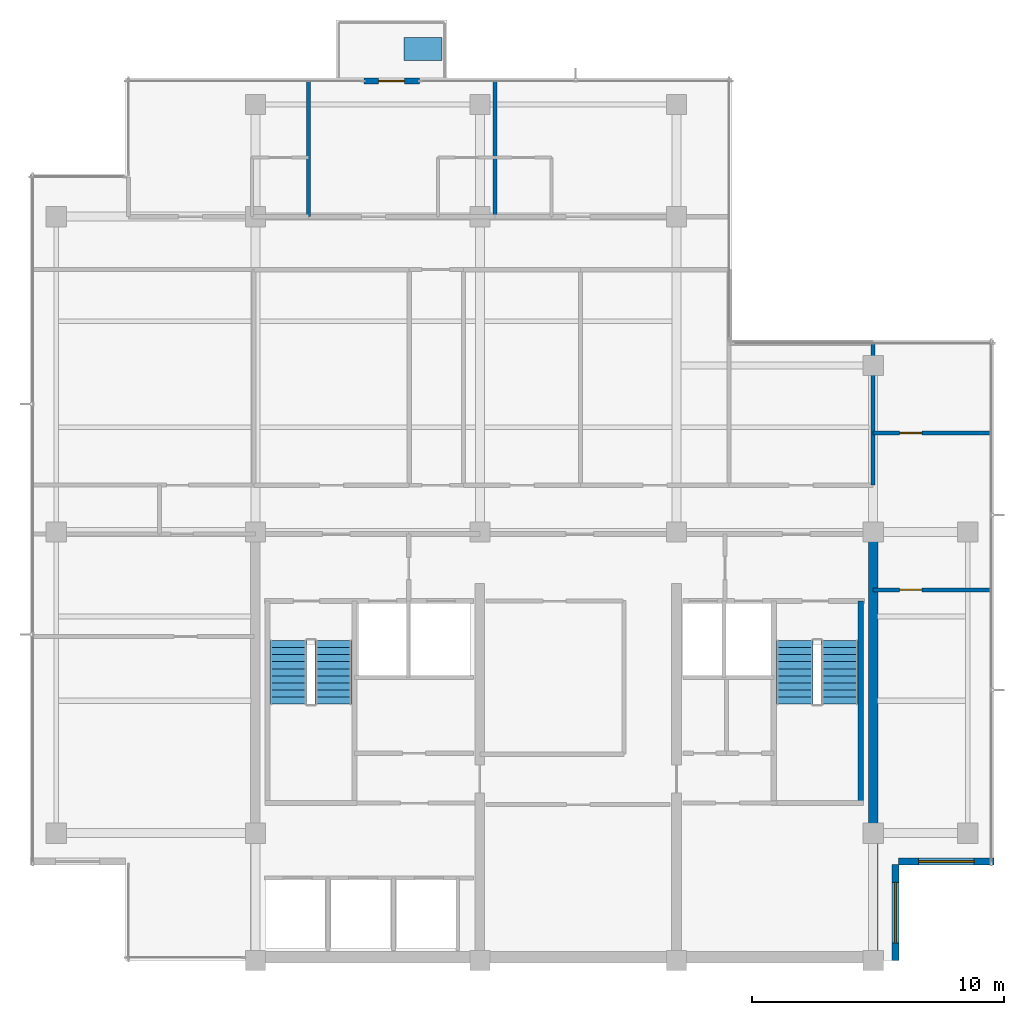
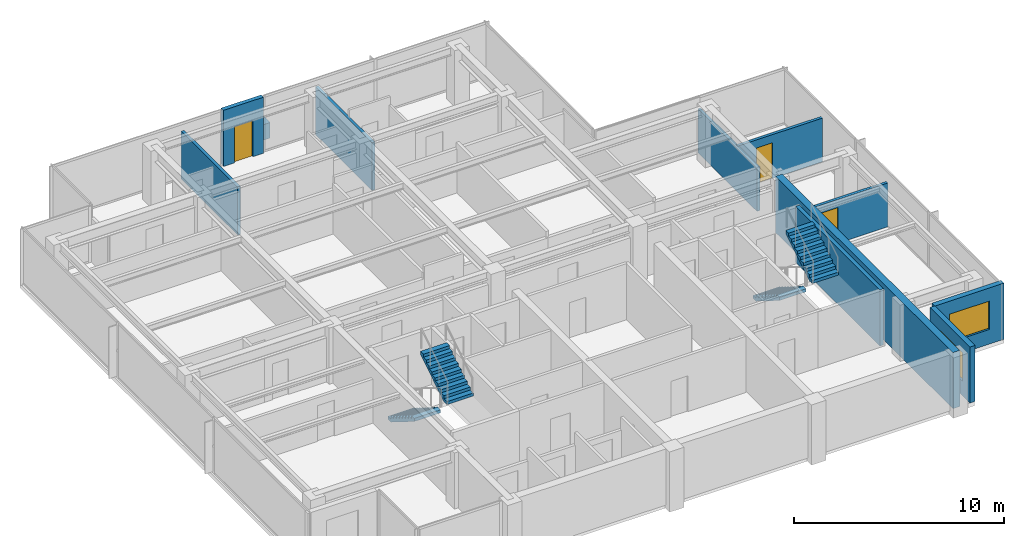
# One storey, part 8 of 11: 10 walls, 4 stair flights, 3 doors, 2 windows, 1 discrete accessory, 5 openings, 2 elements without a shape of their own.
"""IFC4 building model written with IfcOpenShell, lengths in metres."""

from ifc_helpers import new_model, si_unit, direction, frame, frame_2d, origin, place, context, subcontext, project, spatial, polyline, rectangle, outline, extrude, material, layer, layer_set, type_object, element, fill, aggregate, save


model = new_model("IFC4")

# Units and contexts
model_context = context("Model", 3, precision=1e-05, world=origin(), true_north=direction((0.0, 1.0)))
body_context = subcontext(model_context, "Body", "Model", "MODEL_VIEW")
ifc_project = project(units=[si_unit("LENGTHUNIT", "METRE"), si_unit("AREAUNIT", "SQUARE_METRE"), si_unit("VOLUMEUNIT", "CUBIC_METRE"), si_unit("PLANEANGLEUNIT", "RADIAN"), si_unit("MASSUNIT", "GRAM", prefix="KILO")], contexts=[model_context])

# Site, building, storey
site_placement = place(None, origin())
site = spatial("IfcSite", under=ifc_project, at=site_placement, CompositionType="ELEMENT")
building_placement = place(site_placement, origin())
building = spatial("IfcBuilding", under=site, at=building_placement, Name="Qalmaran Belvedere Hotel", CompositionType="ELEMENT")
storey_placement = place(building_placement, frame((0.0, 0.0, 263.39990234375)))
storey = spatial("IfcBuildingStorey", under=building, at=storey_placement, Name="L68", CompositionType="ELEMENT", Elevation=263.39990234375)

# Wall, opening, door
ifc_material_1 = material(Name="Anodised Bronze Cladding")
ifc_layer_1 = layer(ifc_material_1, 0.22509765625, Name="Anodised Bronze Cladding")
ifc_layer_set_1 = layer_set([ifc_layer_1], Name="Anodised Bronze Cladding")
wall_type_1 = type_object("IfcWallType", Name="WL-BAL-PORT-225", PredefinedType="SOLIDWALL", material=ifc_layer_set_1)
wall_1_placement = place(storey_placement, frame((24.60009765625, 38.3798828125, 0.0), z_axis=(0.0, 0.0, 1.0), x_axis=(1.0, 0.0, 0.0)))
wall_1 = element("IfcWall", 1, at=wall_1_placement, inside=storey, type_object=wall_type_1, Name="L68 Tree Balcony Door Portal", PredefinedType="SOLIDWALL", context=body_context, shape_type="SweptSolid", body=[
    extrude(rectangle(XDim=2.199951171875, YDim=0.22509765625, at=frame_2d((1.10009765625, 0.0))), origin(), (0.0, 0.0, 1.0), 3.260009765625),
])
opening_1_placement = place(wall_1_placement, frame((0.590087890625, 0.0, 0.0)))
opening_1 = element("IfcOpeningElement", 2, at=opening_1_placement, cuts=wall_1, Name="Opening BL-102", PredefinedType="OPENING", context=body_context, shape_type="SweptSolid", body=[
    extrude(rectangle(XDim=1.02001953125, YDim=2.10009765625, at=frame_2d((0.510009765625, 1.050048828125))), frame((0.0, 0.12255859375, 0.0), z_axis=(0.0, -1.0, 0.0), x_axis=(1.0, 0.0, 0.0)), (0.0, 0.0, 1.0), 0.2451171875),
])
ifc_material_2 = material(Name="Anodised Bronze Aluminium", Category="aluminium")
door_type_1 = type_object("IfcDoorType", Name="DR-BAL-1020X2100", OperationType="NOTDEFINED", PredefinedType="DOOR", material=ifc_material_2)
door_1_placement = place(opening_1_placement, origin())
door_1 = element("IfcDoor", 3, at=door_1_placement, inside=storey, type_object=door_type_1, Name="L68 Planted Tree Balcony Door", OperationType="SINGLE_SWING_LEFT", OverallHeight=2.10009765625, OverallWidth=1.02001953125, PredefinedType="DOOR", context=body_context, shape_type="SweptSolid", body=[
    extrude(rectangle(XDim=1.02001953125, YDim=2.10009765625, at=frame_2d((0.510009765625, 1.050048828125))), frame((0.0, 0.02490234375, 0.0), z_axis=(0.0, -1.0, 0.0), x_axis=(1.0, 0.0, 0.0)), (0.0, 0.0, 1.0), 0.050048828125),
])
fill(opening_1, door_1)

# Wall
ifc_material_3 = material(Name="Concrete C50/60", Category="concrete")
ifc_layer_2 = layer(ifc_material_3, 0.3798828125, Name="Concrete C50/60")
ifc_layer_set_2 = layer_set([ifc_layer_2], Name="Concrete C50/60")
wall_type_2 = type_object("IfcWallType", Name="WL-CORE-380-C50", PredefinedType="SHEAR", material=ifc_layer_set_2)
wall_2_placement = place(storey_placement, frame((44.800048828125, 3.5, 0.0), z_axis=(0.0, 0.0, 1.0), x_axis=(0.0, 1.0, 0.0)))
element("IfcWall", 4, at=wall_2_placement, inside=storey, type_object=wall_type_2, Name="L68 East Core Shear Wall", PredefinedType="SHEAR", context=body_context, shape_type="SweptSolid", body=[
    extrude(rectangle(XDim=16.89990234375, YDim=0.3798828125, at=frame_2d((8.449951171875, 0.0))), origin(), (0.0, 0.0, 1.0), 3.260009765625),
])

# Wall, opening, window
ifc_layer_3 = layer(ifc_material_1, 0.280029296875, Name="Anodised Bronze Cladding")
ifc_layer_set_3 = layer_set([ifc_layer_3], Name="Anodised Bronze Cladding")
wall_type_3 = type_object("IfcWallType", Name="WL-EXT-BRNZ-280", PredefinedType="SOLIDWALL", material=ifc_layer_set_3)
wall_3_placement = place(storey_placement, frame((45.679931640625, 3.5, 0.0), z_axis=(0.0, 0.0, 1.0), x_axis=(0.0, 1.0, 0.0)))
wall_3 = element("IfcWall", 5, at=wall_3_placement, inside=storey, type_object=wall_type_3, Name="L68 Corner Notch Wall 1", PredefinedType="SOLIDWALL", context=body_context, shape_type="SweptSolid", body=[
    extrude(rectangle(XDim=3.800048828125, YDim=0.280029296875, at=frame_2d((1.89990234375, 0.0))), origin(), (0.0, 0.0, 1.0), 3.260009765625),
])
opening_2_placement = place(wall_3_placement, frame((0.699951171875, 0.0, 0.85009765625)))
opening_2 = element("IfcOpeningElement", 6, at=opening_2_placement, cuts=wall_3, Name="Opening W-N24", PredefinedType="OPENING", context=body_context, shape_type="SweptSolid", body=[
    extrude(rectangle(XDim=2.39990234375, YDim=1.64990234375, at=frame_2d((1.199951171875, 0.824951171875))), frame((0.0, 0.14990234375, 0.0), z_axis=(0.0, -1.0, 0.0), x_axis=(1.0, 0.0, 0.0)), (0.0, 0.0, 1.0), 0.300048828125),
])
ifc_material_4 = material(Name="Solar-Control Double Glazing", Category="glass")
window_type_1 = type_object("IfcWindowType", Name="WN-NTC-2400X1650", PartitioningType="SINGLE_PANEL", PredefinedType="WINDOW", material=ifc_material_4)
window_1_placement = place(opening_2_placement, origin())
window_1 = element("IfcWindow", 7, at=window_1_placement, inside=storey, type_object=window_type_1, Name="L68 Corner Notch Window 1", OverallHeight=1.64990234375, OverallWidth=2.39990234375, PartitioningType="SINGLE_PANEL", PredefinedType="WINDOW", context=body_context, shape_type="SweptSolid", body=[
    extrude(rectangle(XDim=2.39990234375, YDim=1.64990234375, at=frame_2d((1.199951171875, 0.824951171875))), frame((0.0, 0.030029296875, 0.0), z_axis=(0.0, -1.0, 0.0), x_axis=(1.0, 0.0, 0.0)), (0.0, 0.0, 1.0), 0.06005859375),
])
fill(opening_2, window_1)

wall_4_placement = place(storey_placement, frame((45.800048828125, 7.419921875, 0.0), z_axis=(0.0, 0.0, 1.0), x_axis=(1.0, 0.0, 0.0)))
wall_4 = element("IfcWall", 8, at=wall_4_placement, inside=storey, type_object=wall_type_3, Name="L68 Corner Notch Wall 2", PredefinedType="SOLIDWALL", context=body_context, shape_type="SweptSolid", body=[
    extrude(rectangle(XDim=3.800048828125, YDim=0.280029296875, at=frame_2d((1.89990234375, 0.0))), origin(), (0.0, 0.0, 1.0), 3.260009765625),
])
opening_3_placement = place(wall_4_placement, frame((0.800048828125, 0.0, 0.85009765625)))
opening_3 = element("IfcOpeningElement", 9, at=opening_3_placement, cuts=wall_4, Name="Opening W-N22", PredefinedType="OPENING", context=body_context, shape_type="SweptSolid", body=[
    extrude(rectangle(XDim=2.199951171875, YDim=1.64990234375, at=frame_2d((1.10009765625, 0.824951171875))), frame((0.0, 0.14990234375, 0.0), z_axis=(0.0, -1.0, 0.0), x_axis=(1.0, 0.0, 0.0)), (0.0, 0.0, 1.0), 0.300048828125),
])
window_type_2 = type_object("IfcWindowType", Name="WN-NTC-2200X1650", PartitioningType="SINGLE_PANEL", PredefinedType="WINDOW", material=ifc_material_4)
window_2_placement = place(opening_3_placement, origin())
window_2 = element("IfcWindow", 10, at=window_2_placement, inside=storey, type_object=window_type_2, Name="L68 Corner Notch Window 2", OverallHeight=1.64990234375, OverallWidth=2.199951171875, PartitioningType="SINGLE_PANEL", PredefinedType="WINDOW", context=body_context, shape_type="SweptSolid", body=[
    extrude(rectangle(XDim=2.199951171875, YDim=1.64990234375, at=frame_2d((1.10009765625, 0.824951171875))), frame((0.0, 0.030029296875, 0.0), z_axis=(0.0, -1.0, 0.0), x_axis=(1.0, 0.0, 0.0)), (0.0, 0.0, 1.0), 0.06005859375),
])
fill(opening_3, window_2)

# Wall, opening, door
ifc_material_5 = material(Name="Gypsum Stud Partition")
ifc_layer_4 = layer(ifc_material_5, 0.159912109375, Name="Gypsum Stud Partition")
ifc_layer_set_4 = layer_set([ifc_layer_4], Name="Gypsum Stud Partition")
wall_type_4 = type_object("IfcWallType", Name="WL-INT-160-EI60", PredefinedType="PARTITIONING", material=ifc_layer_set_4)
wall_5_placement = place(storey_placement, frame((44.800048828125, 18.199951171875, 0.0), z_axis=(0.0, 0.0, 1.0), x_axis=(1.0, 0.0, 0.0)))
wall_5 = element("IfcWall", 11, at=wall_5_placement, inside=storey, type_object=wall_type_4, Name="L68 Partition WL-L68-C4EES", PredefinedType="PARTITIONING", context=body_context, shape_type="SweptSolid", body=[
    extrude(rectangle(XDim=4.679931640625, YDim=0.159912109375, at=frame_2d((2.33984375, 0.0))), origin(), (0.0, 0.0, 1.0), 2.550048828125),
])
opening_4_placement = place(wall_5_placement, frame((1.929931640625, 0.0, 0.0), z_axis=(0.0, 0.0, 1.0), x_axis=(-1.0, 0.0, 0.0)))
opening_4 = element("IfcOpeningElement", 12, at=opening_4_placement, cuts=wall_5, Name="Opening FD60B", PredefinedType="OPENING", context=body_context, shape_type="SweptSolid", body=[
    extrude(rectangle(XDim=0.8798828125, YDim=2.080078125, at=frame_2d((0.43994140625, 1.0400390625))), frame((0.0, 0.08984375, 0.0), z_axis=(0.0, -1.0, 0.0), x_axis=(1.0, 0.0, 0.0)), (0.0, 0.0, 1.0), 0.179931640625),
])
ifc_material_6 = material(Name="Steel S355JR", Category="steel")
door_type_2 = type_object("IfcDoorType", Name="DR-FD60B-880X2080", OperationType="NOTDEFINED", PredefinedType="DOOR", material=ifc_material_6)
door_2_placement = place(opening_4_placement, origin())
door_2 = element("IfcDoor", 13, at=door_2_placement, inside=storey, type_object=door_type_2, Name="L68 East Reading Door", OperationType="SINGLE_SWING_RIGHT", OverallHeight=2.080078125, OverallWidth=0.8798828125, PredefinedType="DOOR", context=body_context, shape_type="SweptSolid", body=[
    extrude(rectangle(XDim=0.8798828125, YDim=2.080078125, at=frame_2d((0.43994140625, 1.0400390625))), frame((0.0, 0.02490234375, 0.0), z_axis=(0.0, -1.0, 0.0), x_axis=(1.0, 0.0, 0.0)), (0.0, 0.0, 1.0), 0.050048828125),
])
fill(opening_4, door_2)

wall_6_placement = place(storey_placement, frame((44.800048828125, 24.419921875, 0.0), z_axis=(0.0, 0.0, 1.0), x_axis=(1.0, 0.0, 0.0)))
wall_6 = element("IfcWall", 14, at=wall_6_placement, inside=storey, type_object=wall_type_4, Name="L68 Partition WL-L68-C4EEN", PredefinedType="PARTITIONING", context=body_context, shape_type="SweptSolid", body=[
    extrude(rectangle(XDim=4.679931640625, YDim=0.159912109375, at=frame_2d((2.33984375, 0.0))), origin(), (0.0, 0.0, 1.0), 2.550048828125),
])
opening_5_placement = place(wall_6_placement, frame((1.050048828125, 0.0, 0.0)))
opening_5 = element("IfcOpeningElement", 15, at=opening_5_placement, cuts=wall_6, Name="Opening FD60B", PredefinedType="OPENING", context=body_context, shape_type="SweptSolid", body=[
    extrude(rectangle(XDim=0.8798828125, YDim=2.080078125, at=frame_2d((0.43994140625, 1.0400390625))), frame((0.0, 0.08984375, 0.0), z_axis=(0.0, -1.0, 0.0), x_axis=(1.0, 0.0, 0.0)), (0.0, 0.0, 1.0), 0.179931640625),
])
door_3_placement = place(opening_5_placement, origin())
door_3 = element("IfcDoor", 16, at=door_3_placement, inside=storey, type_object=door_type_2, Name="L68 East Study Door", OperationType="SINGLE_SWING_LEFT", OverallHeight=2.080078125, OverallWidth=0.8798828125, PredefinedType="DOOR", context=body_context, shape_type="SweptSolid", body=[
    extrude(rectangle(XDim=0.8798828125, YDim=2.080078125, at=frame_2d((0.43994140625, 1.0400390625))), frame((0.0, 0.02490234375, 0.0), z_axis=(0.0, -1.0, 0.0), x_axis=(1.0, 0.0, 0.0)), (0.0, 0.0, 1.0), 0.050048828125),
])
fill(opening_5, door_3)

# Walls
wall_7_placement = place(storey_placement, frame((44.800048828125, 22.35009765625, 0.0), z_axis=(0.0, 0.0, 1.0), x_axis=(0.0, 1.0, 0.0)))
element("IfcWall", 17, at=wall_7_placement, inside=storey, type_object=wall_type_4, Name="L68 Partition WL-L68-C4MFVR1", PredefinedType="PARTITIONING", context=body_context, shape_type="SweptSolid", body=[
    extrude(rectangle(XDim=5.6298828125, YDim=0.159912109375, at=frame_2d((2.81494140625, 0.0))), origin(), (0.0, 0.0, 1.0), 2.550048828125),
])
for number, where, z_axis, x_axis, name in (
    (18, (22.4130859375, 33.0, 0.0), (0.0, 0.0, 1.0), (0.0, 1.0, 0.0), "L68 Partition WL-L68-NUR00"),
    (19, (29.794189453125, 33.0, 0.0), (0.0, 0.0, 1.0), (0.0, 1.0, 0.0), "L68 Partition WL-L68-NUR01"),
):
    element("IfcWall", number, at=place(storey_placement, frame(where, z_axis=z_axis, x_axis=x_axis)), inside=storey, type_object=wall_type_4, Name=name, PredefinedType="PARTITIONING", context=body_context, shape_type="SweptSolid", body=[
        extrude(rectangle(XDim=5.3798828125, YDim=0.159912109375, at=frame_2d((2.68994140625, 0.0))), origin(), (0.0, 0.0, 1.0), 2.781982421875),
    ])
ifc_layer_5 = layer(ifc_material_3, 0.2099609375, Name="Concrete C50/60")
ifc_layer_set_5 = layer_set([ifc_layer_5], Name="Concrete C50/60")
wall_type_5 = type_object("IfcWallType", Name="WL-STAIR-210-C50", PredefinedType="SHEAR", material=ifc_layer_set_5)
wall_8_placement = place(storey_placement, frame((44.304931640625, 9.7451171875, 0.0), z_axis=(0.0, 0.0, 1.0), x_axis=(0.0, 1.0, 0.0)))
element("IfcWall", 20, at=wall_8_placement, inside=storey, type_object=wall_type_5, Name="L68 Stair ST-2 East Bearing Wall", PredefinedType="SHEAR", context=body_context, shape_type="SweptSolid", body=[
    extrude(rectangle(XDim=8.009765625, YDim=0.2099609375, at=frame_2d((4.0048828125, 0.0))), origin(), (0.0, 0.0, 1.0), 3.260009765625),
])

# Stair, stair flights
ifc_material_7 = material(Name="Concrete C40/50", Category="concrete")
stair_type_1 = type_object("IfcStairType", Name="STR-ST-1-1450-R1750", PredefinedType="HALF_TURN_STAIR", material=ifc_material_7)
stair_1_placement = place(storey_placement, origin())
stair_1 = element("IfcStair", 21, at=stair_1_placement, inside=storey, type_object=stair_type_1, Name="L68 West Core Exit Stair ST-1", PredefinedType="HALF_TURN_STAIR")
ifc_layer_6 = layer(ifc_material_7, 0.14990234375, Name="Concrete C40/50")
ifc_layer_set_6 = layer_set([ifc_layer_6], Name="Concrete C40/50")
stair_flight_type_1 = type_object("IfcStairFlightType", Name="STF-ST-1-1450-R1750", PredefinedType="STRAIGHT", material=ifc_layer_set_6)
stair_flight_1_placement = place(storey_placement, frame((21.60498046875, 16.18994140625, 0.0), z_axis=(0.0, 0.0, 1.0), x_axis=(0.0, -1.0, 0.0)))
stair_flight_1 = element("IfcStairFlight", 22, at=stair_flight_1_placement, type_object=stair_flight_type_1, Name="ST-1 flight 1", NumberOfRisers=10, NumberOfTreads=9, PredefinedType="STRAIGHT", RiserHeight=0.175, TreadLength=0.28, context=body_context, shape_type="SweptSolid", body=[
    extrude(outline(polyline([(0.0, 0.0), (0.0, 0.175048828125), (0.280029296875, 0.175048828125), (0.280029296875, 0.35009765625), (0.56005859375, 0.35009765625), (0.56005859375, 0.52490234375), (0.840087890625, 0.52490234375), (0.840087890625, 0.699951171875), (1.1201171875, 0.699951171875), (1.1201171875, 0.875), (1.39990234375, 0.875), (1.39990234375, 1.050048828125), (1.679931640625, 1.050048828125), (1.679931640625, 1.22509765625), (1.9599609375, 1.22509765625), (1.9599609375, 1.39990234375), (2.239990234375, 1.39990234375), (2.239990234375, 1.574951171875), (2.52001953125, 1.574951171875), (2.52001953125, 1.75), (2.52001953125, 1.398193359375), (0.28271484375, 0.0), (0.0, 0.0)])), frame((0.0, 0.72509765625, 0.0), z_axis=(0.0, -1.0, 0.0), x_axis=(1.0, 0.0, 0.0)), (0.0, 0.0, 1.0), 1.449951171875),
])
stair_flight_2_placement = place(storey_placement, frame((23.39501953125, 13.669921875, 1.75), z_axis=(0.0, 0.0, 1.0), x_axis=(0.0, 1.0, 0.0)))
stair_flight_2 = element("IfcStairFlight", 23, at=stair_flight_2_placement, type_object=stair_flight_type_1, Name="ST-1 flight 2", NumberOfRisers=10, NumberOfTreads=9, PredefinedType="STRAIGHT", RiserHeight=0.175, TreadLength=0.28, context=body_context, shape_type="SweptSolid", body=[
    extrude(outline(polyline([(0.0, 0.0), (0.0, 0.175048828125), (0.280029296875, 0.175048828125), (0.280029296875, 0.35009765625), (0.56005859375, 0.35009765625), (0.56005859375, 0.52490234375), (0.840087890625, 0.52490234375), (0.840087890625, 0.699951171875), (1.1201171875, 0.699951171875), (1.1201171875, 0.875), (1.39990234375, 0.875), (1.39990234375, 1.050048828125), (1.679931640625, 1.050048828125), (1.679931640625, 1.22509765625), (1.9599609375, 1.22509765625), (1.9599609375, 1.39990234375), (2.239990234375, 1.39990234375), (2.239990234375, 1.574951171875), (2.52001953125, 1.574951171875), (2.52001953125, 1.75), (2.52001953125, 1.398193359375), (0.28271484375, 0.0), (0.0, 0.0)])), frame((0.0, 0.72509765625, 0.0), z_axis=(0.0, -1.0, 0.0), x_axis=(1.0, 0.0, 0.0)), (0.0, 0.0, 1.0), 1.449951171875),
])
aggregate(stair_1, [stair_flight_1, stair_flight_2])

stair_type_2 = type_object("IfcStairType", Name="STR-ST-2-1450-R1750", PredefinedType="HALF_TURN_STAIR", material=ifc_material_7)
stair_2_placement = place(storey_placement, origin())
stair_2 = element("IfcStair", 24, at=stair_2_placement, inside=storey, type_object=stair_type_2, Name="L68 East Core Exit Stair ST-2", PredefinedType="HALF_TURN_STAIR")
ifc_layer_7 = layer(ifc_material_7, 0.14990234375, Name="Concrete C40/50")
ifc_layer_set_7 = layer_set([ifc_layer_7], Name="Concrete C40/50")
stair_flight_type_2 = type_object("IfcStairFlightType", Name="STF-ST-2-1450-R1750", PredefinedType="STRAIGHT", material=ifc_layer_set_7)
stair_flight_3_placement = place(storey_placement, frame((41.68505859375, 16.18994140625, 0.0), z_axis=(0.0, 0.0, 1.0), x_axis=(0.0, -1.0, 0.0)))
stair_flight_3 = element("IfcStairFlight", 25, at=stair_flight_3_placement, type_object=stair_flight_type_2, Name="ST-2 flight 1", NumberOfRisers=10, NumberOfTreads=9, PredefinedType="STRAIGHT", RiserHeight=0.175, TreadLength=0.28, context=body_context, shape_type="SweptSolid", body=[
    extrude(outline(polyline([(0.0, 0.0), (0.0, 0.175048828125), (0.280029296875, 0.175048828125), (0.280029296875, 0.35009765625), (0.56005859375, 0.35009765625), (0.56005859375, 0.52490234375), (0.840087890625, 0.52490234375), (0.840087890625, 0.699951171875), (1.1201171875, 0.699951171875), (1.1201171875, 0.875), (1.39990234375, 0.875), (1.39990234375, 1.050048828125), (1.679931640625, 1.050048828125), (1.679931640625, 1.22509765625), (1.9599609375, 1.22509765625), (1.9599609375, 1.39990234375), (2.239990234375, 1.39990234375), (2.239990234375, 1.574951171875), (2.52001953125, 1.574951171875), (2.52001953125, 1.75), (2.52001953125, 1.398193359375), (0.28271484375, 0.0), (0.0, 0.0)])), frame((0.0, 0.72509765625, 0.0), z_axis=(0.0, -1.0, 0.0), x_axis=(1.0, 0.0, 0.0)), (0.0, 0.0, 1.0), 1.449951171875),
])
stair_flight_4_placement = place(storey_placement, frame((43.47509765625, 13.669921875, 1.75), z_axis=(0.0, 0.0, 1.0), x_axis=(0.0, 1.0, 0.0)))
stair_flight_4 = element("IfcStairFlight", 26, at=stair_flight_4_placement, type_object=stair_flight_type_2, Name="ST-2 flight 2", NumberOfRisers=10, NumberOfTreads=9, PredefinedType="STRAIGHT", RiserHeight=0.175, TreadLength=0.28, context=body_context, shape_type="SweptSolid", body=[
    extrude(outline(polyline([(0.0, 0.0), (0.0, 0.175048828125), (0.280029296875, 0.175048828125), (0.280029296875, 0.35009765625), (0.56005859375, 0.35009765625), (0.56005859375, 0.52490234375), (0.840087890625, 0.52490234375), (0.840087890625, 0.699951171875), (1.1201171875, 0.699951171875), (1.1201171875, 0.875), (1.39990234375, 0.875), (1.39990234375, 1.050048828125), (1.679931640625, 1.050048828125), (1.679931640625, 1.22509765625), (1.9599609375, 1.22509765625), (1.9599609375, 1.39990234375), (2.239990234375, 1.39990234375), (2.239990234375, 1.574951171875), (2.52001953125, 1.574951171875), (2.52001953125, 1.75), (2.52001953125, 1.398193359375), (0.28271484375, 0.0), (0.0, 0.0)])), frame((0.0, 0.72509765625, 0.0), z_axis=(0.0, -1.0, 0.0), x_axis=(1.0, 0.0, 0.0)), (0.0, 0.0, 1.0), 1.449951171875),
])
aggregate(stair_2, [stair_flight_3, stair_flight_4])

# Discrete accessory
discrete_accessory_type = type_object("IfcDiscreteAccessoryType", Name="PLN-BAL-1500", PredefinedType="USERDEFINED", material=ifc_material_7)
discrete_accessory_placement = place(storey_placement, origin())
element("IfcDiscreteAccessory", 27, at=discrete_accessory_placement, inside=storey, type_object=discrete_accessory_type, Name="L68 Sky Tree Planter", ObjectType="PLANTER", PredefinedType="USERDEFINED", context=body_context, shape_type="SweptSolid", body=[
    extrude(outline(polyline([(26.199951171875, 39.199951171875), (27.699951171875, 39.199951171875), (27.699951171875, 40.10009765625), (26.199951171875, 40.10009765625), (26.199951171875, 39.199951171875)])), origin(), (0.0, 0.0, 1.0), 0.900146484375),
])

save(model, "model.ifc")
